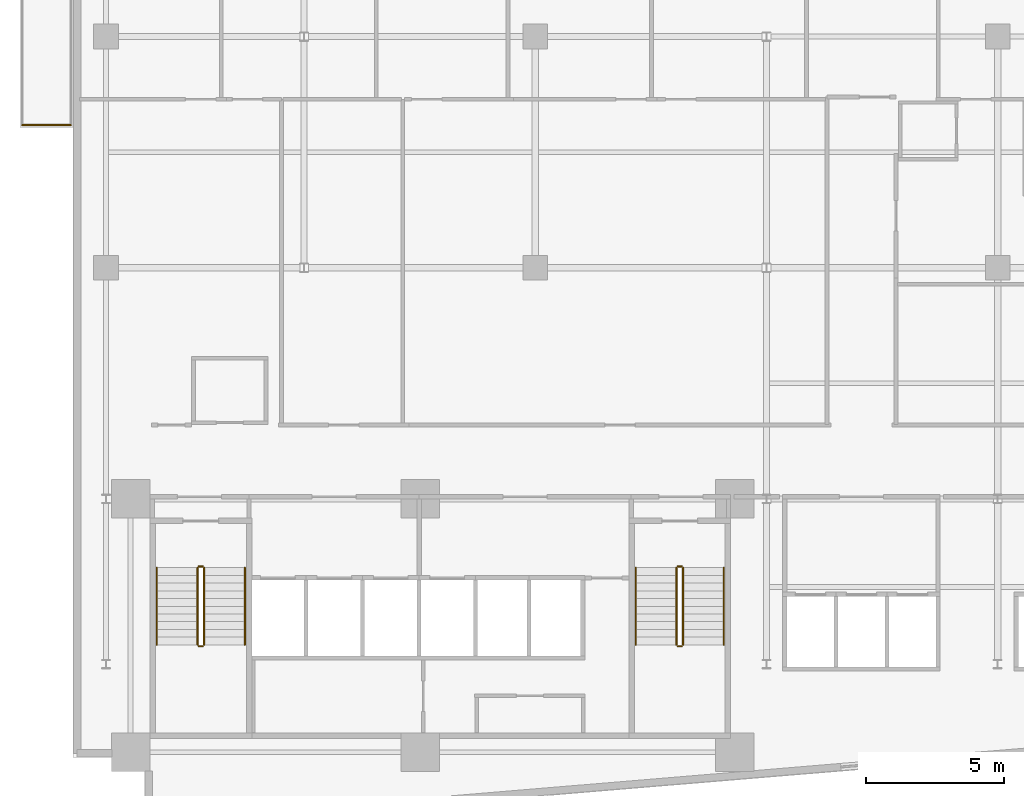
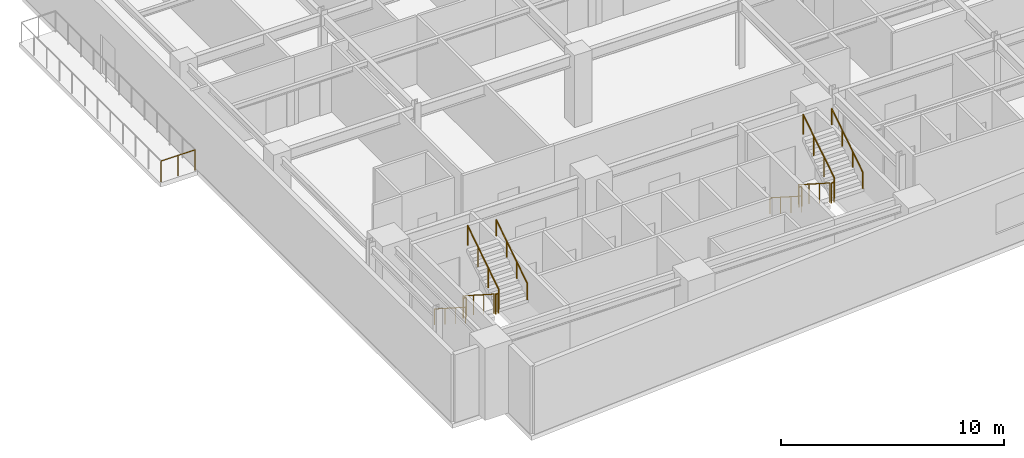
# One storey, part 18 of 22: 13 railings.
"""IFC4 building model written with IfcOpenShell, lengths in metres."""

from ifc_helpers import new_model, si_unit, direction, frame, origin, origin_2d, place, context, subcontext, project, spatial, circle, extrude, material, type_object, element, save


model = new_model("IFC4")

# Units and contexts
model_context = context("Model", 3, precision=1e-05, world=origin(), true_north=direction((0.0, 1.0)))
body_context = subcontext(model_context, "Body", "Model", "MODEL_VIEW")
ifc_project = project(units=[si_unit("LENGTHUNIT", "METRE"), si_unit("AREAUNIT", "SQUARE_METRE"), si_unit("VOLUMEUNIT", "CUBIC_METRE"), si_unit("PLANEANGLEUNIT", "RADIAN"), si_unit("MASSUNIT", "GRAM", prefix="KILO")], contexts=[model_context])

# Site, building, storey
site_placement = place(None, origin())
site = spatial("IfcSite", under=ifc_project, at=site_placement, CompositionType="ELEMENT")
building_placement = place(site_placement, origin())
building = spatial("IfcBuilding", under=site, at=building_placement, Name="Varnakote Quay Hospital", CompositionType="ELEMENT")
storey_placement = place(building_placement, frame((0.0, 0.0, 62.0)))
storey = spatial("IfcBuildingStorey", under=building, at=storey_placement, Name="L15", CompositionType="ELEMENT", Elevation=62.0)

# Railings
ifc_material_1 = material(Name="Anodised aluminium 6063-T6 Bronze", Category="aluminium")
railing_type_1 = type_object("IfcRailingType", Name="RLG-EXT-GUARD-1150", PredefinedType="GUARDRAIL", material=ifc_material_1)
railing_1_placement = place(storey_placement, frame((-0.075927734375, 25.580078125, 0.0)))
element("IfcRailing", 1, at=railing_1_placement, inside=storey, type_object=railing_type_1, Name="L15 Zigzag Prow Healing Terrace Safety Guard", PredefinedType="GUARDRAIL", context=body_context, shape_type="SweptSolid", body=[
    extrude(circle(Radius=0.02392578125, at=origin_2d()), frame((0.0, 0.0, 1.1259765625), z_axis=(-1.0, 0.0, 0.0), x_axis=(0.0, -1.0, 0.0)), (0.0, 0.0, 1.0), 1.76416015625),
    extrude(circle(Radius=0.02099609375, at=origin_2d()), origin(), (0.0, 0.0, 1.0), 1.101806640625),
    extrude(circle(Radius=0.02099609375, at=origin_2d()), frame((-0.882080078125, 0.0, 0.0)), (0.0, 0.0, 1.0), 1.101806640625),
    extrude(circle(Radius=0.02099609375, at=origin_2d()), frame((-1.76416015625, 0.0, 0.0)), (0.0, 0.0, 1.0), 1.101806640625),
])
ifc_material_2 = material(Name="Brushed stainless steel balustrade", Category="steel")
railing_type_2 = type_object("IfcRailingType", Name="RLG-STAIR-GUARD-1150", PredefinedType="GUARDRAIL", material=ifc_material_2)
railing_2_placement = place(storey_placement, frame((4.530029296875, 9.5, 0.179443359375)))
element("IfcRailing", 2, at=railing_2_placement, inside=storey, type_object=railing_type_2, Name="L15 ST-01 stair guard 1", PredefinedType="GUARDRAIL", context=body_context, shape_type="SweptSolid", body=[
    extrude(circle(Radius=0.02392578125, at=origin_2d()), frame((0.0, 0.0, 1.076171875), z_axis=(0.0, -0.841776520102, 0.539826166654), x_axis=(1.0, 0.0, 0.0)), (0.0, 0.0, 1.0), 3.326416015625),
    extrude(circle(Radius=0.02099609375, at=origin_2d()), origin(), (0.0, 0.0, 1.0), 1.052001953125),
    extrude(circle(Radius=0.02099609375, at=origin_2d()), frame((0.0, -0.933349609375, 0.5986328125)), (0.0, 0.0, 1.0), 1.052001953125),
    extrude(circle(Radius=0.02099609375, at=origin_2d()), frame((0.0, -1.86669921875, 1.197021484375)), (0.0, 0.0, 1.0), 1.052001953125),
    extrude(circle(Radius=0.02099609375, at=origin_2d()), frame((0.0, -2.800048828125, 1.795654296875)), (0.0, 0.0, 1.0), 1.052001953125),
])
railing_3_placement = place(storey_placement, frame((4.580078125, 6.64990234375, 1.97509765625)))
element("IfcRailing", 3, at=railing_3_placement, inside=storey, type_object=railing_type_2, Name="L15 ST-01 stair guard 2", PredefinedType="GUARDRAIL", context=body_context, shape_type="SweptSolid", body=[
    extrude(circle(Radius=0.02392578125, at=origin_2d()), frame((0.0, 0.0, 1.076171875), z_axis=(1.0, 0.0, 0.0), x_axis=(0.0, 1.0, 0.0)), (0.0, 0.0, 1.0), 0.139892578125),
    extrude(circle(Radius=0.02099609375, at=origin_2d()), origin(), (0.0, 0.0, 1.0), 1.052001953125),
    extrude(circle(Radius=0.02099609375, at=origin_2d()), frame((0.139892578125, 0.0, 0.0)), (0.0, 0.0, 1.0), 1.052001953125),
])
railing_4_placement = place(storey_placement, frame((4.77001953125, 6.699951171875, 2.154541015625)))
element("IfcRailing", 4, at=railing_4_placement, inside=storey, type_object=railing_type_2, Name="L15 ST-01 stair guard 3", PredefinedType="GUARDRAIL", context=body_context, shape_type="SweptSolid", body=[
    extrude(circle(Radius=0.02392578125, at=origin_2d()), frame((0.0, 0.0, 1.076171875), z_axis=(0.0, 0.841809871826, 0.539774156196), x_axis=(-1.0, 0.0, 0.0)), (0.0, 0.0, 1.0), 3.326171875),
    extrude(circle(Radius=0.02099609375, at=origin_2d()), origin(), (0.0, 0.0, 1.0), 1.052001953125),
    extrude(circle(Radius=0.02099609375, at=origin_2d()), frame((0.0, 0.933349609375, 0.598388671875)), (0.0, 0.0, 1.0), 1.052001953125),
    extrude(circle(Radius=0.02099609375, at=origin_2d()), frame((0.0, 1.86669921875, 1.197021484375)), (0.0, 0.0, 1.0), 1.052001953125),
    extrude(circle(Radius=0.02099609375, at=origin_2d()), frame((0.0, 2.800048828125, 1.79541015625)), (0.0, 0.0, 1.0), 1.052001953125),
])
railing_5_placement = place(storey_placement, frame((4.580078125, 9.550048828125, 0.0)))
element("IfcRailing", 5, at=railing_5_placement, inside=storey, type_object=railing_type_2, Name="L15 ST-01 stair guard 4", PredefinedType="GUARDRAIL", context=body_context, shape_type="SweptSolid", body=[
    extrude(circle(Radius=0.02392578125, at=origin_2d()), frame((0.0, 0.0, 1.076171875), z_axis=(1.0, 0.0, 0.0), x_axis=(0.0, 1.0, 0.0)), (0.0, 0.0, 1.0), 0.139892578125),
    extrude(circle(Radius=0.02099609375, at=origin_2d()), origin(), (0.0, 0.0, 1.0), 1.052001953125),
    extrude(circle(Radius=0.02099609375, at=origin_2d()), frame((0.139892578125, 0.0, 0.0)), (0.0, 0.0, 1.0), 1.052001953125),
])
railing_6_placement = place(storey_placement, frame((21.929931640625, 9.5, 0.179443359375)))
element("IfcRailing", 6, at=railing_6_placement, inside=storey, type_object=railing_type_2, Name="L15 ST-02 stair guard 1", PredefinedType="GUARDRAIL", context=body_context, shape_type="SweptSolid", body=[
    extrude(circle(Radius=0.02392578125, at=origin_2d()), frame((0.0, 0.0, 1.076171875), z_axis=(0.0, -0.841776520102, 0.539826166654), x_axis=(1.0, 0.0, 0.0)), (0.0, 0.0, 1.0), 3.326416015625),
    extrude(circle(Radius=0.02099609375, at=origin_2d()), origin(), (0.0, 0.0, 1.0), 1.052001953125),
    extrude(circle(Radius=0.02099609375, at=origin_2d()), frame((0.0, -0.933349609375, 0.5986328125)), (0.0, 0.0, 1.0), 1.052001953125),
    extrude(circle(Radius=0.02099609375, at=origin_2d()), frame((0.0, -1.86669921875, 1.197021484375)), (0.0, 0.0, 1.0), 1.052001953125),
    extrude(circle(Radius=0.02099609375, at=origin_2d()), frame((0.0, -2.800048828125, 1.795654296875)), (0.0, 0.0, 1.0), 1.052001953125),
])
railing_7_placement = place(storey_placement, frame((21.97998046875, 6.64990234375, 1.97509765625)))
element("IfcRailing", 7, at=railing_7_placement, inside=storey, type_object=railing_type_2, Name="L15 ST-02 stair guard 2", PredefinedType="GUARDRAIL", context=body_context, shape_type="SweptSolid", body=[
    extrude(circle(Radius=0.02392578125, at=origin_2d()), frame((0.0, 0.0, 1.076171875), z_axis=(1.0, 0.0, 0.0), x_axis=(0.0, 1.0, 0.0)), (0.0, 0.0, 1.0), 0.14013671875),
    extrude(circle(Radius=0.02099609375, at=origin_2d()), origin(), (0.0, 0.0, 1.0), 1.052001953125),
    extrude(circle(Radius=0.02099609375, at=origin_2d()), frame((0.14013671875, 0.0, 0.0)), (0.0, 0.0, 1.0), 1.052001953125),
])
railing_8_placement = place(storey_placement, frame((22.169921875, 6.699951171875, 2.154541015625)))
element("IfcRailing", 8, at=railing_8_placement, inside=storey, type_object=railing_type_2, Name="L15 ST-02 stair guard 3", PredefinedType="GUARDRAIL", context=body_context, shape_type="SweptSolid", body=[
    extrude(circle(Radius=0.02392578125, at=origin_2d()), frame((0.0, 0.0, 1.076171875), z_axis=(0.0, 0.841809871826, 0.539774156196), x_axis=(-1.0, 0.0, 0.0)), (0.0, 0.0, 1.0), 3.326171875),
    extrude(circle(Radius=0.02099609375, at=origin_2d()), origin(), (0.0, 0.0, 1.0), 1.052001953125),
    extrude(circle(Radius=0.02099609375, at=origin_2d()), frame((0.0, 0.933349609375, 0.598388671875)), (0.0, 0.0, 1.0), 1.052001953125),
    extrude(circle(Radius=0.02099609375, at=origin_2d()), frame((0.0, 1.86669921875, 1.197021484375)), (0.0, 0.0, 1.0), 1.052001953125),
    extrude(circle(Radius=0.02099609375, at=origin_2d()), frame((0.0, 2.800048828125, 1.79541015625)), (0.0, 0.0, 1.0), 1.052001953125),
])
railing_9_placement = place(storey_placement, frame((21.97998046875, 9.550048828125, 0.0)))
element("IfcRailing", 9, at=railing_9_placement, inside=storey, type_object=railing_type_2, Name="L15 ST-02 stair guard 4", PredefinedType="GUARDRAIL", context=body_context, shape_type="SweptSolid", body=[
    extrude(circle(Radius=0.02392578125, at=origin_2d()), frame((0.0, 0.0, 1.076171875), z_axis=(1.0, 0.0, 0.0), x_axis=(0.0, 1.0, 0.0)), (0.0, 0.0, 1.0), 0.14013671875),
    extrude(circle(Radius=0.02099609375, at=origin_2d()), origin(), (0.0, 0.0, 1.0), 1.052001953125),
    extrude(circle(Radius=0.02099609375, at=origin_2d()), frame((0.14013671875, 0.0, 0.0)), (0.0, 0.0, 1.0), 1.052001953125),
])
ifc_material_3 = material(Name="Brushed stainless steel handrail", Category="steel")
railing_type_3 = type_object("IfcRailingType", Name="RLG-STAIR-HND-920", PredefinedType="HANDRAIL", material=ifc_material_3)
railing_10_placement = place(storey_placement, frame((3.050048828125, 9.5, 0.179443359375)))
element("IfcRailing", 10, at=railing_10_placement, inside=storey, type_object=railing_type_3, Name="L15 ST-01 stair handrail 1", PredefinedType="HANDRAIL", context=body_context, shape_type="SweptSolid", body=[
    extrude(circle(Radius=0.02392578125, at=origin_2d()), frame((0.0, 0.0, 0.8759765625), z_axis=(0.0, -0.841776520102, 0.539826166654), x_axis=(1.0, 0.0, 0.0)), (0.0, 0.0, 1.0), 3.326416015625),
    extrude(circle(Radius=0.02099609375, at=origin_2d()), origin(), (0.0, 0.0, 1.0), 0.851806640625),
    extrude(circle(Radius=0.02099609375, at=origin_2d()), frame((0.0, -0.933349609375, 0.5986328125)), (0.0, 0.0, 1.0), 0.851806640625),
    extrude(circle(Radius=0.02099609375, at=origin_2d()), frame((0.0, -1.86669921875, 1.197021484375)), (0.0, 0.0, 1.0), 0.851806640625),
    extrude(circle(Radius=0.02099609375, at=origin_2d()), frame((0.0, -2.800048828125, 1.795654296875)), (0.0, 0.0, 1.0), 0.851806640625),
])
railing_11_placement = place(storey_placement, frame((6.25, 6.699951171875, 2.154541015625)))
element("IfcRailing", 11, at=railing_11_placement, inside=storey, type_object=railing_type_3, Name="L15 ST-01 stair handrail 2", PredefinedType="HANDRAIL", context=body_context, shape_type="SweptSolid", body=[
    extrude(circle(Radius=0.02392578125, at=origin_2d()), frame((0.0, 0.0, 0.8759765625), z_axis=(0.0, 0.841809871826, 0.539774156196), x_axis=(-1.0, 0.0, 0.0)), (0.0, 0.0, 1.0), 3.326171875),
    extrude(circle(Radius=0.02099609375, at=origin_2d()), origin(), (0.0, 0.0, 1.0), 0.851806640625),
    extrude(circle(Radius=0.02099609375, at=origin_2d()), frame((0.0, 0.933349609375, 0.598388671875)), (0.0, 0.0, 1.0), 0.851806640625),
    extrude(circle(Radius=0.02099609375, at=origin_2d()), frame((0.0, 1.86669921875, 1.197021484375)), (0.0, 0.0, 1.0), 0.851806640625),
    extrude(circle(Radius=0.02099609375, at=origin_2d()), frame((0.0, 2.800048828125, 1.79541015625)), (0.0, 0.0, 1.0), 0.851806640625),
])
railing_12_placement = place(storey_placement, frame((20.449951171875, 9.5, 0.179443359375)))
element("IfcRailing", 12, at=railing_12_placement, inside=storey, type_object=railing_type_3, Name="L15 ST-02 stair handrail 1", PredefinedType="HANDRAIL", context=body_context, shape_type="SweptSolid", body=[
    extrude(circle(Radius=0.02392578125, at=origin_2d()), frame((0.0, 0.0, 0.8759765625), z_axis=(0.0, -0.841776520102, 0.539826166654), x_axis=(1.0, 0.0, 0.0)), (0.0, 0.0, 1.0), 3.326416015625),
    extrude(circle(Radius=0.02099609375, at=origin_2d()), origin(), (0.0, 0.0, 1.0), 0.851806640625),
    extrude(circle(Radius=0.02099609375, at=origin_2d()), frame((0.0, -0.933349609375, 0.5986328125)), (0.0, 0.0, 1.0), 0.851806640625),
    extrude(circle(Radius=0.02099609375, at=origin_2d()), frame((0.0, -1.86669921875, 1.197021484375)), (0.0, 0.0, 1.0), 0.851806640625),
    extrude(circle(Radius=0.02099609375, at=origin_2d()), frame((0.0, -2.800048828125, 1.795654296875)), (0.0, 0.0, 1.0), 0.851806640625),
])
railing_13_placement = place(storey_placement, frame((23.64990234375, 6.699951171875, 2.154541015625)))
element("IfcRailing", 13, at=railing_13_placement, inside=storey, type_object=railing_type_3, Name="L15 ST-02 stair handrail 2", PredefinedType="HANDRAIL", context=body_context, shape_type="SweptSolid", body=[
    extrude(circle(Radius=0.02392578125, at=origin_2d()), frame((0.0, 0.0, 0.8759765625), z_axis=(0.0, 0.841809871826, 0.539774156196), x_axis=(-1.0, 0.0, 0.0)), (0.0, 0.0, 1.0), 3.326171875),
    extrude(circle(Radius=0.02099609375, at=origin_2d()), origin(), (0.0, 0.0, 1.0), 0.851806640625),
    extrude(circle(Radius=0.02099609375, at=origin_2d()), frame((0.0, 0.933349609375, 0.598388671875)), (0.0, 0.0, 1.0), 0.851806640625),
    extrude(circle(Radius=0.02099609375, at=origin_2d()), frame((0.0, 1.86669921875, 1.197021484375)), (0.0, 0.0, 1.0), 0.851806640625),
    extrude(circle(Radius=0.02099609375, at=origin_2d()), frame((0.0, 2.800048828125, 1.79541015625)), (0.0, 0.0, 1.0), 0.851806640625),
])

save(model, "model.ifc")
